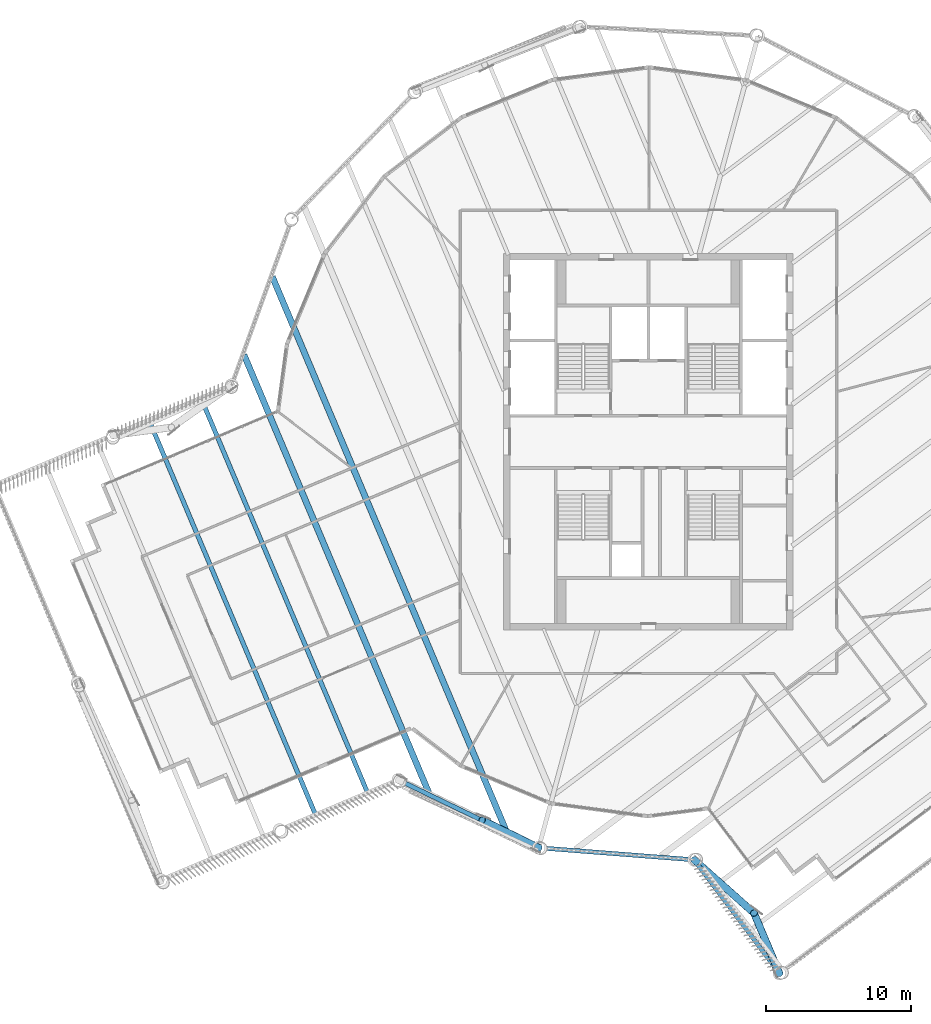
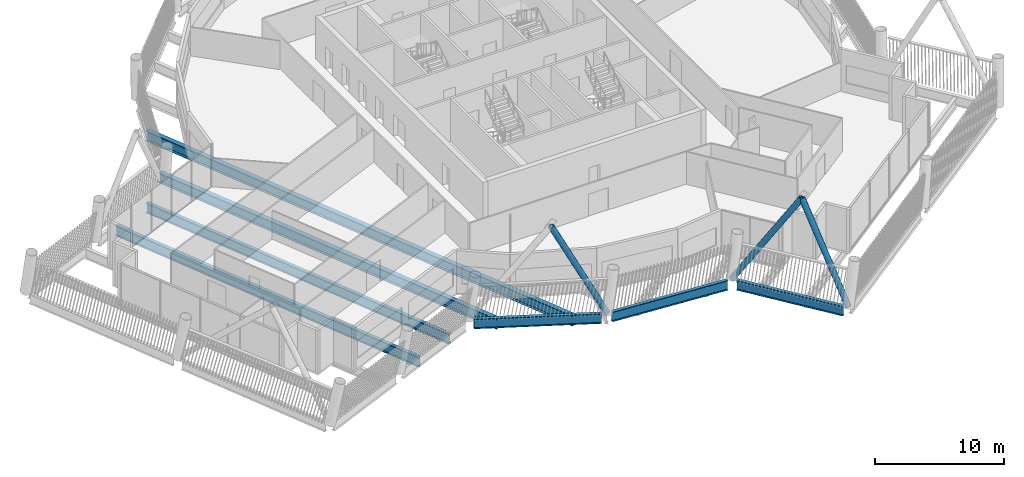
# One storey, part 7 of 35: 7 beams, 3 members.
"""IFC4 building model written with IfcOpenShell, lengths in metres."""

from ifc_helpers import new_model, si_unit, direction, frame, origin, origin_2d, place, context, subcontext, project, spatial, hollow_circle, i_section, extrude, material, material_profile, profile_set, type_object, element, save


model = new_model("IFC4")

# Units and contexts
model_context = context("Model", 3, precision=1e-05, world=origin(), true_north=direction((0.0, 1.0)))
body_context = subcontext(model_context, "Body", "Model", "MODEL_VIEW")
ifc_project = project(units=[si_unit("LENGTHUNIT", "METRE"), si_unit("AREAUNIT", "SQUARE_METRE"), si_unit("VOLUMEUNIT", "CUBIC_METRE"), si_unit("PLANEANGLEUNIT", "RADIAN"), si_unit("MASSUNIT", "GRAM", prefix="KILO")], contexts=[model_context])

# Site, building, storey
site_placement = place(None, origin())
site = spatial("IfcSite", under=ifc_project, at=site_placement, CompositionType="ELEMENT")
building_placement = place(site_placement, origin())
building = spatial("IfcBuilding", under=site, at=building_placement, Name="Tarsis Ring Headquarters", CompositionType="ELEMENT")
storey_placement = place(building_placement, frame((0.0, 0.0, 377.60009765625)))
storey = spatial("IfcBuildingStorey", under=building, at=storey_placement, Name="L89", CompositionType="ELEMENT", Elevation=377.60009765625)

# Beams
ifc_material = material(Name="Structural steel S355", Category="steel")
ifc_material_profile_1 = material_profile(ifc_material, i_section(OverallWidth=0.309814453125, OverallDepth=0.949951171875, WebThickness=0.0244140625, FlangeThickness=0.0439453125, at=origin_2d()), Name="W36x256")
ifc_profile_set_1 = profile_set([ifc_material_profile_1], Name="Structural steel S355")
beam_type_1 = type_object("IfcBeamType", Name="FB Floor beam W36x256", PredefinedType="JOIST", material=ifc_profile_set_1)
for number, where, z_axis, x_axis, name in (
    (1, (-30.885986328125, 2.972900390625, -0.635009765625), (0.388801402091, -0.921321588661, 0.0), (0.921321588661, 0.388801402091, 0.0), "Floor beam FB11"),
    (2, (-34.47900390625, 1.45654296875, -0.635009765625), (0.388801402091, -0.921321588661, 0.0), (0.921321588661, 0.388801402091, 0.0), "Floor beam FB11"),
):
    element("IfcBeam", number, at=place(storey_placement, frame(where, z_axis=z_axis, x_axis=x_axis)), inside=storey, type_object=beam_type_1, Name=name, PredefinedType="JOIST", context=body_context, shape_type="SweptSolid", body=[
        extrude(i_section(OverallWidth=0.309814453125, OverallDepth=0.949951171875, WebThickness=0.0244140625, FlangeThickness=0.0439453125, at=origin_2d()), origin(), (0.0, 0.0, 1.0), 29.4951171875),
    ])
ifc_material_profile_2 = material_profile(ifc_material, i_section(OverallWidth=0.42431640625, OverallDepth=0.947509765625, WebThickness=0.02392578125, FlangeThickness=0.042724609375, at=origin_2d()), Name="W36x302")
ifc_profile_set_2 = profile_set([ifc_material_profile_2], Name="Structural steel S355")
beam_type_2 = type_object("IfcBeamType", Name="FB Floor beam W36x302", PredefinedType="JOIST", material=ifc_profile_set_2)
beam_1_placement = place(storey_placement, frame((-25.97900390625, 11.40673828125, -0.6337890625), z_axis=(0.388802180512, -0.921321260164, 0.0), x_axis=(0.921321260164, 0.388802180512, 0.0)))
element("IfcBeam", 3, at=beam_1_placement, inside=storey, type_object=beam_type_2, Name="Floor beam FB12", PredefinedType="JOIST", context=body_context, shape_type="SweptSolid", body=[
    extrude(i_section(OverallWidth=0.42431640625, OverallDepth=0.947509765625, WebThickness=0.02392578125, FlangeThickness=0.042724609375, at=origin_2d()), origin(), (0.0, 0.0, 1.0), 41.53125),
])
beam_2_placement = place(storey_placement, frame((-27.934814453125, 6.010498046875, -0.6337890625), z_axis=(0.388805679809, -0.921319783435, 0.0), x_axis=(0.921319783435, 0.388805679809, 0.0)))
element("IfcBeam", 4, at=beam_2_placement, inside=storey, type_object=beam_type_2, Name="Floor beam FB12", PredefinedType="JOIST", context=body_context, shape_type="SweptSolid", body=[
    extrude(i_section(OverallWidth=0.42431640625, OverallDepth=0.947509765625, WebThickness=0.02392578125, FlangeThickness=0.042724609375, at=origin_2d()), origin(), (0.0, 0.0, 1.0), 32.883056640625),
])

# Members
ifc_material_profile_3 = material_profile(ifc_material, hollow_circle(Radius=0.25390625, WallThickness=0.02001953125, at=origin_2d()), Name="CHS 508x20")
ifc_profile_set_3 = profile_set([ifc_material_profile_3], Name="Structural steel S355")
member_type = type_object("IfcMemberType", Name="XD X brace CHS 508x20", PredefinedType="BRACE", material=ifc_profile_set_3)
member_1_placement = place(storey_placement, frame((3.162353515625, -28.8759765625, 0.0), z_axis=(0.410529392576, -0.365737746845, 0.8352852916), x_axis=(0.665199328501, 0.746665824424, 0.0)))
element("IfcMember", 5, at=member_1_placement, inside=storey, type_object=member_type, Name="X brace XD2", PredefinedType="BRACE", context=body_context, shape_type="SweptSolid", body=[
    extrude(hollow_circle(Radius=0.25390625, WallThickness=0.02001953125, at=origin_2d()), origin(), (0.0, 0.0, 1.0), 10.056396484375),
])
member_2_placement = place(storey_placement, frame((9.04638671875, -36.718505859375, 0.0), z_axis=(-0.184054636512, 0.436601861998, 0.880626313982), x_axis=(-0.921467510261, -0.388455438286, 0.0)))
element("IfcMember", 6, at=member_2_placement, inside=storey, type_object=member_type, Name="X brace XD2", PredefinedType="BRACE", context=body_context, shape_type="SweptSolid", body=[
    extrude(hollow_circle(Radius=0.25390625, WallThickness=0.02001953125, at=origin_2d()), origin(), (0.0, 0.0, 1.0), 9.53857421875),
])
member_3_placement = place(storey_placement, frame((-7.5771484375, -28.04296875, 0.0), z_axis=(-0.413108552372, 0.201960166332, 0.88800530132), x_axis=(-0.439203085208, -0.898387805986, 0.0)))
element("IfcMember", 7, at=member_3_placement, inside=storey, type_object=member_type, Name="X brace XD2", PredefinedType="BRACE", context=body_context, shape_type="SweptSolid", body=[
    extrude(hollow_circle(Radius=0.25390625, WallThickness=0.02001953125, at=origin_2d()), origin(), (0.0, 0.0, 1.0), 9.459228515625),
])

# Beams
ifc_material_profile_4 = material_profile(ifc_material, i_section(OverallWidth=0.3046875, OverallDepth=0.91943359375, WebThickness=0.017333984375, FlangeThickness=0.02783203125, at=origin_2d()), Name="W36x170")
ifc_profile_set_4 = profile_set([ifc_material_profile_4], Name="Structural steel S355")
beam_type_3 = type_object("IfcBeamType", Name="XG Ring girder W36x170", PredefinedType="BEAM", material=ifc_profile_set_4)
beam_3_placement = place(storey_placement, frame((-7.166748046875, -28.07470703125, -0.4599609375), z_axis=(0.997005929331, -0.077325137426, 0.0), x_axis=(0.077325137426, 0.997005929331, 0.0)))
element("IfcBeam", 8, at=beam_3_placement, inside=storey, type_object=beam_type_3, Name="Ring girder XG4", PredefinedType="BEAM", context=body_context, shape_type="SweptSolid", body=[
    extrude(i_section(OverallWidth=0.3046875, OverallDepth=0.91943359375, WebThickness=0.017333984375, FlangeThickness=0.02783203125, at=origin_2d()), origin(), (0.0, 0.0, 1.0), 9.94873046875),
])
beam_4_placement = place(storey_placement, frame((3.409423828125, -29.205078125, -0.4599609375), z_axis=(0.600147865662, -0.799889079399, 0.0), x_axis=(0.799889079399, 0.600147865662, 0.0)))
element("IfcBeam", 9, at=beam_4_placement, inside=storey, type_object=beam_type_3, Name="Ring girder XG4", PredefinedType="BEAM", context=body_context, shape_type="SweptSolid", body=[
    extrude(i_section(OverallWidth=0.3046875, OverallDepth=0.91943359375, WebThickness=0.017333984375, FlangeThickness=0.02783203125, at=origin_2d()), origin(), (0.0, 0.0, 1.0), 8.9814453125),
])
beam_5_placement = place(storey_placement, frame((-16.904296875, -23.532958984375, -0.4599609375), z_axis=(0.900282120191, -0.435306907898, 0.0), x_axis=(0.435306907898, 0.900282120191, 0.0)))
element("IfcBeam", 10, at=beam_5_placement, inside=storey, type_object=beam_type_3, Name="Ring girder XG4", PredefinedType="BEAM", context=body_context, shape_type="SweptSolid", body=[
    extrude(i_section(OverallWidth=0.3046875, OverallDepth=0.91943359375, WebThickness=0.017333984375, FlangeThickness=0.02783203125, at=origin_2d()), origin(), (0.0, 0.0, 1.0), 9.948974609375),
])

save(model, "model.ifc")
